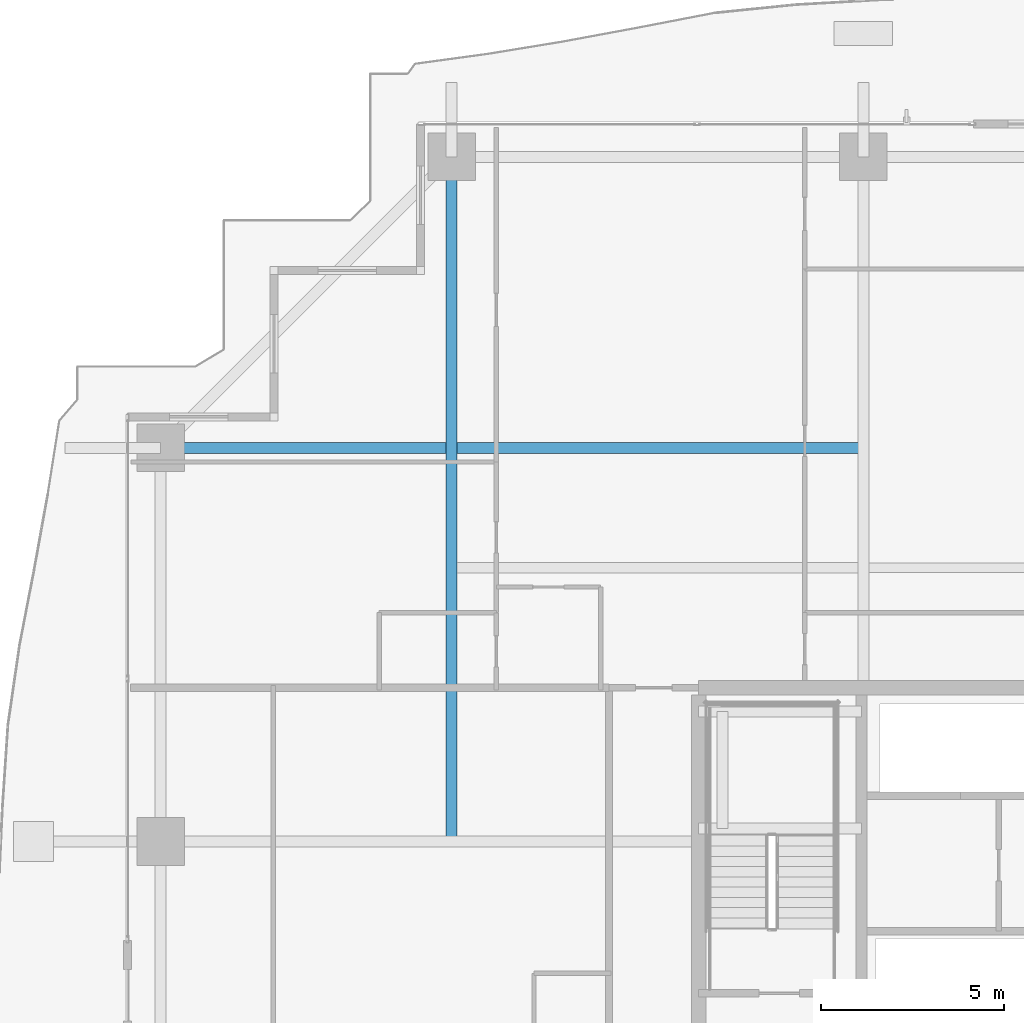
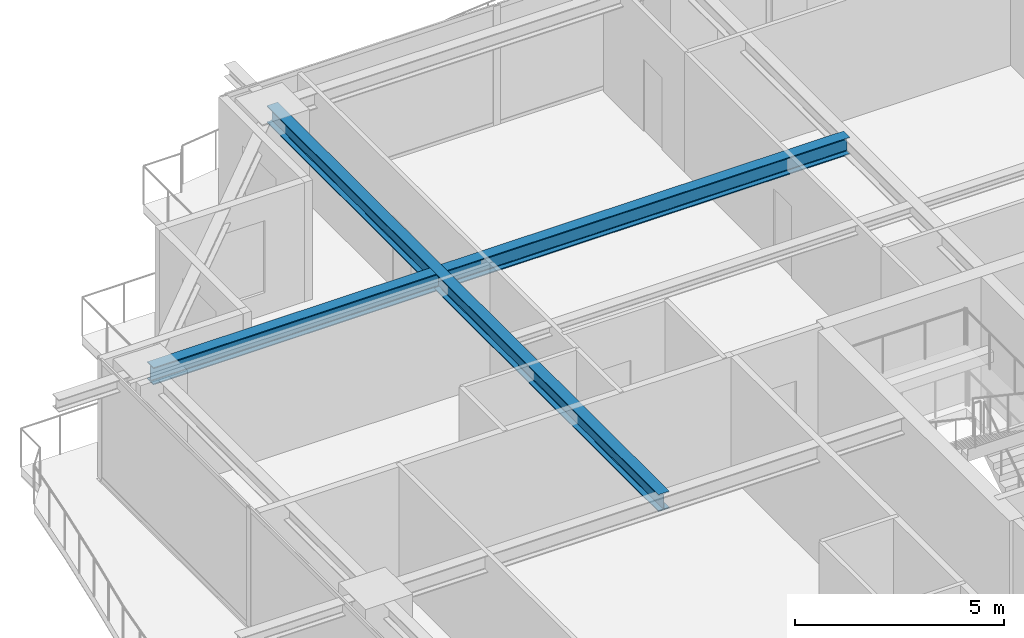
# One storey, part 18 of 39: 2 beams.
"""IFC4 building model written with IfcOpenShell, lengths in metres."""

from ifc_helpers import new_model, si_unit, direction, frame, origin, origin_2d, place, context, subcontext, project, spatial, i_section, extrude, source, transform, mapped, material, material_profile, profile_set, type_object, element, save


model = new_model("IFC4")

# Units and contexts
model_context = context("Model", 3, precision=1e-05, world=origin(), true_north=direction((0.0, 1.0)))
body_context = subcontext(model_context, "Body", "Model", "MODEL_VIEW")
ifc_project = project(units=[si_unit("LENGTHUNIT", "METRE"), si_unit("AREAUNIT", "SQUARE_METRE"), si_unit("VOLUMEUNIT", "CUBIC_METRE"), si_unit("PLANEANGLEUNIT", "RADIAN"), si_unit("MASSUNIT", "GRAM", prefix="KILO")], contexts=[model_context])

# Site, building, storey
site_placement = place(None, origin())
site = spatial("IfcSite", under=ifc_project, at=site_placement, CompositionType="ELEMENT")
building_placement = place(site_placement, origin())
building = spatial("IfcBuilding", under=site, at=building_placement, Name="Serunith Strait Residences", CompositionType="ELEMENT")
storey_placement = place(building_placement, frame((0.0, 0.0, 168.89990234375)))
storey = spatial("IfcBuildingStorey", under=building, at=storey_placement, Name="L42", CompositionType="ELEMENT", Elevation=168.89990234375)

# Beams
ifc_material = material(Name="Steel S355J2", Category="steel")
ifc_material_profile = material_profile(ifc_material, i_section(OverallWidth=0.300048828125, OverallDepth=0.5, WebThickness=0.014404296875, FlangeThickness=0.028076171875, FilletRadius=0.027099609375, at=origin_2d()), Name="HEB 500")
ifc_profile_set = profile_set([ifc_material_profile], Name="Steel S355J2")
beam_type = type_object("IfcBeamType", Name="BM-HEB500", PredefinedType="BEAM", material=ifc_profile_set)
shared_shape_1 = source(origin(), body_context, "Body", "SweptSolid", [
    extrude(i_section(OverallWidth=0.300048828125, OverallDepth=0.5, WebThickness=0.014404296875, FlangeThickness=0.028076171875, FilletRadius=0.027099609375, at=origin_2d()), origin(), (0.0, 0.0, 1.0), 18.7001953125),
])
beam_1_placement = place(storey_placement, frame((16.64990234375, 29.39990234375, 3.237060546875), z_axis=(0.0, 1.0, 0.0), x_axis=(-1.0, 0.0, 0.0)))
element("IfcBeam", 1, at=beam_1_placement, inside=storey, type_object=beam_type, Name="L42 Orthogonal Corner Girder TC-N1", PredefinedType="BEAM", context=body_context, shape_type="MappedRepresentation", body=[
    mapped(shared_shape_1, transform((0.0, 0.0, 0.0), scale=1.0)),
])
shared_shape_2 = source(origin(), body_context, "Body", "SweptSolid", [
    extrude(i_section(OverallWidth=0.300048828125, OverallDepth=0.5, WebThickness=0.014404296875, FlangeThickness=0.028076171875, FilletRadius=0.027099609375, at=origin_2d()), origin(), (0.0, 0.0, 1.0), 19.199951171875),
])
beam_2_placement = place(storey_placement, frame((27.89990234375, 40.14990234375, 3.237060546875), z_axis=(-1.0, 0.0, 0.0), x_axis=(0.0, -1.0, 0.0)))
element("IfcBeam", 2, at=beam_2_placement, inside=storey, type_object=beam_type, Name="L42 Orthogonal Corner Girder TC-W4", PredefinedType="BEAM", context=body_context, shape_type="MappedRepresentation", body=[
    mapped(shared_shape_2, transform((0.0, 0.0, 0.0), scale=1.0)),
])

save(model, "model.ifc")
